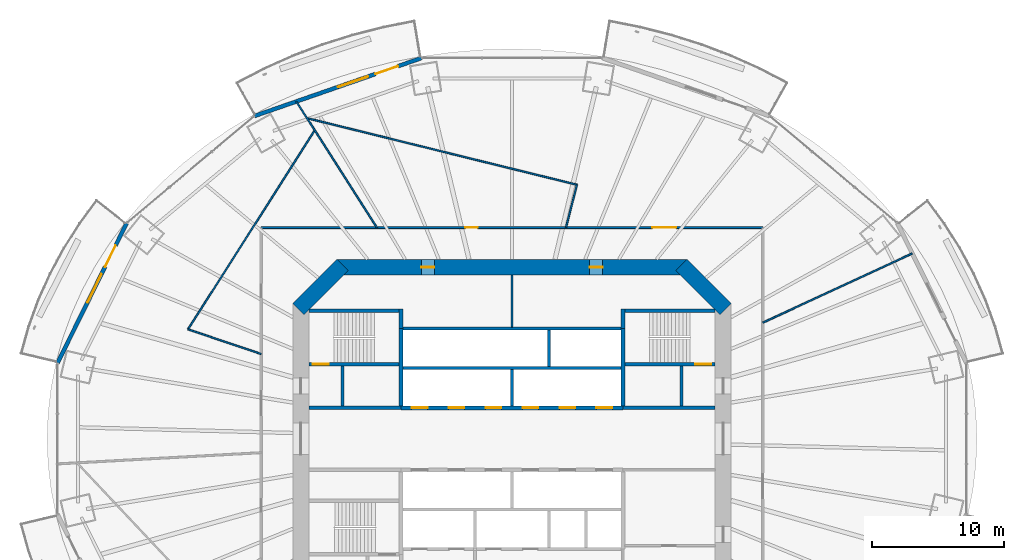
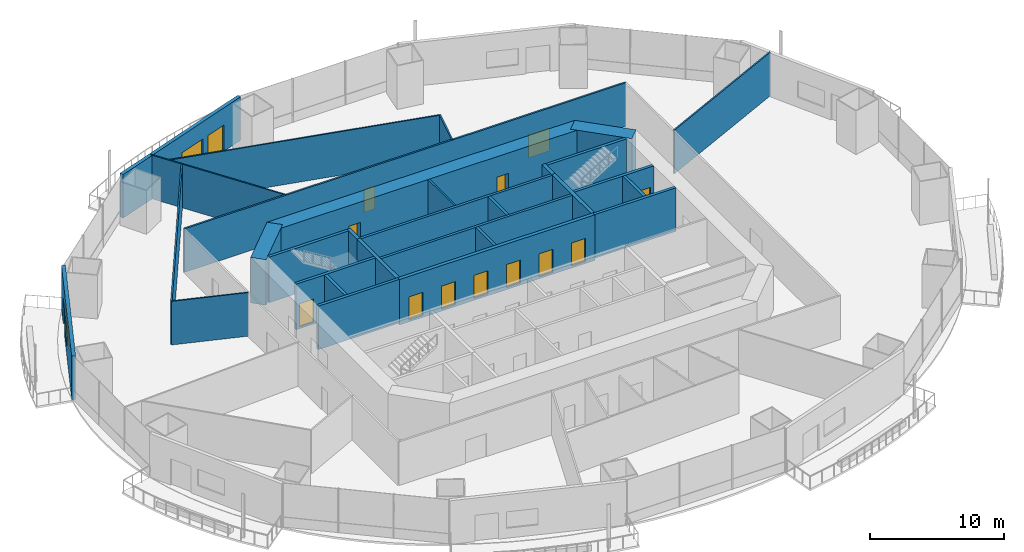
# One storey, part 15 of 22: 30 walls, 14 doors, 2 windows, 16 openings.
"""IFC4 building model written with IfcOpenShell, lengths in metres."""

from ifc_helpers import new_model, si_unit, direction, frame, frame_2d, origin, place, context, subcontext, project, spatial, rectangle, extrude, material, layer, layer_set, type_object, element, fill, save


model = new_model("IFC4")

# Units and contexts
model_context = context("Model", 3, precision=1e-05, world=origin(), true_north=direction((0.0, 1.0)))
body_context = subcontext(model_context, "Body", "Model", "MODEL_VIEW")
ifc_project = project(units=[si_unit("LENGTHUNIT", "METRE"), si_unit("AREAUNIT", "SQUARE_METRE"), si_unit("VOLUMEUNIT", "CUBIC_METRE"), si_unit("PLANEANGLEUNIT", "RADIAN"), si_unit("MASSUNIT", "GRAM", prefix="KILO")], contexts=[model_context])

# Site, building, storey
site_placement = place(None, origin())
site = spatial("IfcSite", under=ifc_project, at=site_placement, CompositionType="ELEMENT")
building_placement = place(site_placement, origin())
building = spatial("IfcBuilding", under=site, at=building_placement, Name="Marenthal Gate Tower", CompositionType="ELEMENT")
storey_placement = place(building_placement, frame((0.0, 0.0, 82.800048828125)))
storey = spatial("IfcBuildingStorey", under=building, at=storey_placement, Name="L16", CompositionType="ELEMENT", Elevation=82.800048828125)

# Wall
ifc_material_1 = material(Name="Concrete 60 MPa", Category="concrete")
ifc_layer_1 = layer(ifc_material_1, 1.199951171875)
ifc_layer_set_1 = layer_set([ifc_layer_1], Name="Core shear wall 1200")
wall_type_1 = type_object("IfcWallType", Name="Core shear wall 1200", PredefinedType="SHEAR", material=ifc_layer_set_1)
wall_1_placement = place(storey_placement, frame((16.17578125, 9.82421875, -0.179931640625), z_axis=(0.0, 0.0, 1.0), x_axis=(-0.707106781187, 0.707106781187, 0.0)))
element("IfcWall", 1, at=wall_1_placement, inside=storey, type_object=wall_type_1, Name="Core wall 03", PredefinedType="SHEAR", context=body_context, shape_type="SweptSolid", body=[
    extrude(rectangle(XDim=4.73974609375, YDim=1.199951171875, at=frame_2d((2.369873046875, 0.0))), origin(), (0.0, 0.0, 1.0), 4.14990234375),
])

# Wall, openings, doors
wall_2_placement = place(storey_placement, frame((13.24853515625, 13.0, -0.179931640625), z_axis=(0.0, 0.0, 1.0), x_axis=(-1.0, 0.0, 0.0)))
wall_2 = element("IfcWall", 2, at=wall_2_placement, inside=storey, type_object=wall_type_1, Name="Core wall 04", PredefinedType="SHEAR", context=body_context, shape_type="SweptSolid", body=[
    extrude(rectangle(XDim=26.4970703125, YDim=1.199951171875, at=frame_2d((13.24853515625, 0.0))), origin(), (0.0, 0.0, 1.0), 4.14990234375),
])
opening_1_placement = place(wall_2_placement, frame((19.12451171875, 0.0, 0.179931640625)))
opening_1 = element("IfcOpeningElement", 3, at=opening_1_placement, cuts=wall_2, Name="Opening D005.01", PredefinedType="OPENING", context=body_context, shape_type="SweptSolid", body=[
    extrude(rectangle(XDim=1.0, YDim=2.10009765625, at=frame_2d((0.5, 1.050048828125))), frame((0.0, 0.60986328125, 0.0), z_axis=(0.0, -1.0, 0.0), x_axis=(1.0, 0.0, 0.0)), (0.0, 0.0, 1.0), 1.219970703125),
])
opening_2_placement = place(wall_2_placement, frame((6.37255859375, 0.0, 0.179931640625)))
opening_2 = element("IfcOpeningElement", 4, at=opening_2_placement, cuts=wall_2, Name="Opening D005.02", PredefinedType="OPENING", context=body_context, shape_type="SweptSolid", body=[
    extrude(rectangle(XDim=1.0, YDim=2.10009765625, at=frame_2d((0.5, 1.050048828125))), frame((0.0, 0.60986328125, 0.0), z_axis=(0.0, -1.0, 0.0), x_axis=(1.0, 0.0, 0.0)), (0.0, 0.0, 1.0), 1.219970703125),
])
ifc_material_2 = material(Name="Steel fire door", Category="steel")
door_type_1 = type_object("IfcDoorType", Name="Fire door FD 45 1000 x 2100", OperationType="NOTDEFINED", PredefinedType="DOOR", material=ifc_material_2)
door_1_placement = place(opening_1_placement, origin())
door_1 = element("IfcDoor", 5, at=door_1_placement, inside=storey, type_object=door_type_1, Name="Door D005.01", OperationType="SINGLE_SWING_RIGHT", OverallHeight=2.10009765625, OverallWidth=1.0, PredefinedType="DOOR", context=body_context, shape_type="SweptSolid", body=[
    extrude(rectangle(XDim=1.0, YDim=2.10009765625, at=frame_2d((0.5, 1.050048828125))), frame((0.0, 0.02490234375, 0.0), z_axis=(0.0, -1.0, 0.0), x_axis=(1.0, 0.0, 0.0)), (0.0, 0.0, 1.0), 0.050048828125),
])
fill(opening_1, door_1)
door_2_placement = place(opening_2_placement, origin())
door_2 = element("IfcDoor", 6, at=door_2_placement, inside=storey, type_object=door_type_1, Name="Door D005.02", OperationType="SINGLE_SWING_RIGHT", OverallHeight=2.10009765625, OverallWidth=1.0, PredefinedType="DOOR", context=body_context, shape_type="SweptSolid", body=[
    extrude(rectangle(XDim=1.0, YDim=2.10009765625, at=frame_2d((0.5, 1.050048828125))), frame((0.0, 0.02490234375, 0.0), z_axis=(0.0, -1.0, 0.0), x_axis=(1.0, 0.0, 0.0)), (0.0, 0.0, 1.0), 0.050048828125),
])
fill(opening_2, door_2)

# Wall
wall_3_placement = place(storey_placement, frame((-12.82421875, 13.17578125, -0.179931640625), z_axis=(0.0, 0.0, 1.0), x_axis=(-0.707106781187, -0.707106781187, 0.0)))
element("IfcWall", 7, at=wall_3_placement, inside=storey, type_object=wall_type_1, Name="Core wall 05", PredefinedType="SHEAR", context=body_context, shape_type="SweptSolid", body=[
    extrude(rectangle(XDim=4.73974609375, YDim=1.199951171875, at=frame_2d((2.369873046875, 0.0))), origin(), (0.0, 0.0, 1.0), 4.14990234375),
])

# Wall, openings, doors
ifc_material_3 = material(Name="Concrete 50 MPa", Category="concrete")
ifc_layer_2 = layer(ifc_material_3, 0.300048828125)
ifc_layer_set_2 = layer_set([ifc_layer_2], Name="Hoistway shear wall 300")
wall_type_2 = type_object("IfcWallType", Name="Hoistway shear wall 300", PredefinedType="SHEAR", material=ifc_layer_set_2)
wall_4_placement = place(storey_placement, frame((-8.39990234375, 2.35009765625, -0.179931640625), z_axis=(0.0, 0.0, 1.0), x_axis=(1.0, 0.0, 0.0)))
wall_4 = element("IfcWall", 8, at=wall_4_placement, inside=storey, type_object=wall_type_2, Name="Hoistway wall 20", PredefinedType="SHEAR", context=body_context, shape_type="SweptSolid", body=[
    extrude(rectangle(XDim=16.7998046875, YDim=0.300048828125, at=frame_2d((8.39990234375, 0.0))), origin(), (0.0, 0.0, 1.0), 4.14990234375),
])
opening_3_placement = place(wall_4_placement, frame((0.800048828125, 0.0, 0.179931640625)))
opening_3 = element("IfcOpeningElement", 9, at=opening_3_placement, cuts=wall_4, Name="Opening LD-LP1", PredefinedType="OPENING", context=body_context, shape_type="SweptSolid", body=[
    extrude(rectangle(XDim=1.199951171875, YDim=2.10009765625, at=frame_2d((0.60009765625, 1.050048828125))), frame((0.0, 0.16015625, 0.0), z_axis=(0.0, -1.0, 0.0), x_axis=(1.0, 0.0, 0.0)), (0.0, 0.0, 1.0), 0.320068359375),
])
opening_4_placement = place(wall_4_placement, frame((3.60009765625, 0.0, 0.179931640625)))
opening_4 = element("IfcOpeningElement", 10, at=opening_4_placement, cuts=wall_4, Name="Opening LD-LP2", PredefinedType="OPENING", context=body_context, shape_type="SweptSolid", body=[
    extrude(rectangle(XDim=1.199951171875, YDim=2.10009765625, at=frame_2d((0.60009765625, 1.050048828125))), frame((0.0, 0.16015625, 0.0), z_axis=(0.0, -1.0, 0.0), x_axis=(1.0, 0.0, 0.0)), (0.0, 0.0, 1.0), 0.320068359375),
])
opening_5_placement = place(wall_4_placement, frame((6.39990234375, 0.0, 0.179931640625)))
opening_5 = element("IfcOpeningElement", 11, at=opening_5_placement, cuts=wall_4, Name="Opening LD-LP3", PredefinedType="OPENING", context=body_context, shape_type="SweptSolid", body=[
    extrude(rectangle(XDim=1.199951171875, YDim=2.10009765625, at=frame_2d((0.60009765625, 1.050048828125))), frame((0.0, 0.16015625, 0.0), z_axis=(0.0, -1.0, 0.0), x_axis=(1.0, 0.0, 0.0)), (0.0, 0.0, 1.0), 0.320068359375),
])
opening_6_placement = place(wall_4_placement, frame((9.199951171875, 0.0, 0.179931640625)))
opening_6 = element("IfcOpeningElement", 12, at=opening_6_placement, cuts=wall_4, Name="Opening LD-LP4", PredefinedType="OPENING", context=body_context, shape_type="SweptSolid", body=[
    extrude(rectangle(XDim=1.199951171875, YDim=2.10009765625, at=frame_2d((0.60009765625, 1.050048828125))), frame((0.0, 0.16015625, 0.0), z_axis=(0.0, -1.0, 0.0), x_axis=(1.0, 0.0, 0.0)), (0.0, 0.0, 1.0), 0.320068359375),
])
opening_7_placement = place(wall_4_placement, frame((12.0, 0.0, 0.179931640625)))
opening_7 = element("IfcOpeningElement", 13, at=opening_7_placement, cuts=wall_4, Name="Opening LD-LP5", PredefinedType="OPENING", context=body_context, shape_type="SweptSolid", body=[
    extrude(rectangle(XDim=1.199951171875, YDim=2.10009765625, at=frame_2d((0.60009765625, 1.050048828125))), frame((0.0, 0.16015625, 0.0), z_axis=(0.0, -1.0, 0.0), x_axis=(1.0, 0.0, 0.0)), (0.0, 0.0, 1.0), 0.320068359375),
])
opening_8_placement = place(wall_4_placement, frame((14.800048828125, 0.0, 0.179931640625)))
opening_8 = element("IfcOpeningElement", 14, at=opening_8_placement, cuts=wall_4, Name="Opening LD-LP6", PredefinedType="OPENING", context=body_context, shape_type="SweptSolid", body=[
    extrude(rectangle(XDim=1.199951171875, YDim=2.10009765625, at=frame_2d((0.60009765625, 1.050048828125))), frame((0.0, 0.16015625, 0.0), z_axis=(0.0, -1.0, 0.0), x_axis=(1.0, 0.0, 0.0)), (0.0, 0.0, 1.0), 0.320068359375),
])
ifc_material_4 = material(Name="Stainless steel sliding door", Category="steel")
door_type_2 = type_object("IfcDoorType", Name="Lift landing door FD 90 1200 x 2100", OperationType="DOUBLE_DOOR_SLIDING", PredefinedType="DOOR", material=ifc_material_4)
door_3_placement = place(opening_3_placement, origin())
door_3 = element("IfcDoor", 15, at=door_3_placement, inside=storey, type_object=door_type_2, Name="Lift landing door LP1", OperationType="DOUBLE_DOOR_SLIDING", OverallHeight=2.10009765625, OverallWidth=1.199951171875, PredefinedType="DOOR", context=body_context, shape_type="SweptSolid", body=[
    extrude(rectangle(XDim=1.199951171875, YDim=2.10009765625, at=frame_2d((0.60009765625, 1.050048828125))), frame((0.0, 0.02490234375, 0.0), z_axis=(0.0, -1.0, 0.0), x_axis=(1.0, 0.0, 0.0)), (0.0, 0.0, 1.0), 0.050048828125),
])
fill(opening_3, door_3)
door_4_placement = place(opening_4_placement, origin())
door_4 = element("IfcDoor", 16, at=door_4_placement, inside=storey, type_object=door_type_2, Name="Lift landing door LP2", OperationType="DOUBLE_DOOR_SLIDING", OverallHeight=2.10009765625, OverallWidth=1.199951171875, PredefinedType="DOOR", context=body_context, shape_type="SweptSolid", body=[
    extrude(rectangle(XDim=1.199951171875, YDim=2.10009765625, at=frame_2d((0.60009765625, 1.050048828125))), frame((0.0, 0.02490234375, 0.0), z_axis=(0.0, -1.0, 0.0), x_axis=(1.0, 0.0, 0.0)), (0.0, 0.0, 1.0), 0.050048828125),
])
fill(opening_4, door_4)
door_5_placement = place(opening_5_placement, origin())
door_5 = element("IfcDoor", 17, at=door_5_placement, inside=storey, type_object=door_type_2, Name="Lift landing door LP3", OperationType="DOUBLE_DOOR_SLIDING", OverallHeight=2.10009765625, OverallWidth=1.199951171875, PredefinedType="DOOR", context=body_context, shape_type="SweptSolid", body=[
    extrude(rectangle(XDim=1.199951171875, YDim=2.10009765625, at=frame_2d((0.60009765625, 1.050048828125))), frame((0.0, 0.02490234375, 0.0), z_axis=(0.0, -1.0, 0.0), x_axis=(1.0, 0.0, 0.0)), (0.0, 0.0, 1.0), 0.050048828125),
])
fill(opening_5, door_5)
door_6_placement = place(opening_6_placement, origin())
door_6 = element("IfcDoor", 18, at=door_6_placement, inside=storey, type_object=door_type_2, Name="Lift landing door LP4", OperationType="DOUBLE_DOOR_SLIDING", OverallHeight=2.10009765625, OverallWidth=1.199951171875, PredefinedType="DOOR", context=body_context, shape_type="SweptSolid", body=[
    extrude(rectangle(XDim=1.199951171875, YDim=2.10009765625, at=frame_2d((0.60009765625, 1.050048828125))), frame((0.0, 0.02490234375, 0.0), z_axis=(0.0, -1.0, 0.0), x_axis=(1.0, 0.0, 0.0)), (0.0, 0.0, 1.0), 0.050048828125),
])
fill(opening_6, door_6)
door_7_placement = place(opening_7_placement, origin())
door_7 = element("IfcDoor", 19, at=door_7_placement, inside=storey, type_object=door_type_2, Name="Lift landing door LP5", OperationType="DOUBLE_DOOR_SLIDING", OverallHeight=2.10009765625, OverallWidth=1.199951171875, PredefinedType="DOOR", context=body_context, shape_type="SweptSolid", body=[
    extrude(rectangle(XDim=1.199951171875, YDim=2.10009765625, at=frame_2d((0.60009765625, 1.050048828125))), frame((0.0, 0.02490234375, 0.0), z_axis=(0.0, -1.0, 0.0), x_axis=(1.0, 0.0, 0.0)), (0.0, 0.0, 1.0), 0.050048828125),
])
fill(opening_7, door_7)
door_8_placement = place(opening_8_placement, origin())
door_8 = element("IfcDoor", 20, at=door_8_placement, inside=storey, type_object=door_type_2, Name="Lift landing door LP6", OperationType="DOUBLE_DOOR_SLIDING", OverallHeight=2.10009765625, OverallWidth=1.199951171875, PredefinedType="DOOR", context=body_context, shape_type="SweptSolid", body=[
    extrude(rectangle(XDim=1.199951171875, YDim=2.10009765625, at=frame_2d((0.60009765625, 1.050048828125))), frame((0.0, 0.02490234375, 0.0), z_axis=(0.0, -1.0, 0.0), x_axis=(1.0, 0.0, 0.0)), (0.0, 0.0, 1.0), 0.050048828125),
])
fill(opening_8, door_8)

# Walls
for number, where, z_axis, x_axis, name in (
    (21, (-8.39990234375, 2.5, -0.179931640625), (0.0, 0.0, 1.0), (0.0, 1.0, 0.0), "Hoistway wall 32"),
    (22, (8.39990234375, 2.5, -0.179931640625), (0.0, 0.0, 1.0), (0.0, 1.0, 0.0), "Hoistway wall 44"),
):
    element("IfcWall", number, at=place(storey_placement, frame(where, z_axis=z_axis, x_axis=x_axis)), inside=storey, type_object=wall_type_2, Name=name, PredefinedType="SHEAR", context=body_context, shape_type="SweptSolid", body=[
        extrude(rectangle(XDim=5.85009765625, YDim=0.300048828125, at=frame_2d((2.925048828125, 0.0))), origin(), (0.0, 0.0, 1.0), 4.14990234375),
    ])
ifc_material_5 = material(Name="Concrete 40 MPa", Category="concrete")
ifc_layer_3 = layer(ifc_material_5, 0.219970703125)
ifc_layer_set_3 = layer_set([ifc_layer_3], Name="Hoistway wall 220")
wall_type_3 = type_object("IfcWallType", Name="Hoistway wall 220", PredefinedType="STANDARD", material=ifc_layer_set_3)
for number, where, z_axis, x_axis, name in (
    (23, (-8.25, 5.35009765625, 0.0), (0.0, 0.0, 1.0), (1.0, 0.0, 0.0), "Hoistway wall 22"),
    (24, (-8.25, 8.35009765625, 0.0), (0.0, 0.0, 1.0), (1.0, 0.0, 0.0), "Hoistway wall 25"),
):
    element("IfcWall", number, at=place(storey_placement, frame(where, z_axis=z_axis, x_axis=x_axis)), inside=storey, type_object=wall_type_3, Name=name, PredefinedType="STANDARD", context=body_context, shape_type="SweptSolid", body=[
        extrude(rectangle(XDim=16.5, YDim=0.219970703125, at=frame_2d((8.25, 0.0))), origin(), (0.0, 0.0, 1.0), 3.969970703125),
    ])
wall_5_placement = place(storey_placement, frame((0.0, 2.5, 0.0), z_axis=(0.0, 0.0, 1.0), x_axis=(0.0, 1.0, 0.0)))
element("IfcWall", 25, at=wall_5_placement, inside=storey, type_object=wall_type_3, Name="Hoistway wall 37", PredefinedType="STANDARD", context=body_context, shape_type="SweptSolid", body=[
    extrude(rectangle(XDim=2.739990234375, YDim=0.219970703125, at=frame_2d((1.3701171875, 0.0))), origin(), (0.0, 0.0, 1.0), 3.969970703125),
])
wall_6_placement = place(storey_placement, frame((2.800048828125, 5.4599609375, 0.0), z_axis=(0.0, 0.0, 1.0), x_axis=(0.0, 1.0, 0.0)))
element("IfcWall", 26, at=wall_6_placement, inside=storey, type_object=wall_type_3, Name="Hoistway wall 40", PredefinedType="STANDARD", context=body_context, shape_type="SweptSolid", body=[
    extrude(rectangle(XDim=2.780029296875, YDim=0.219970703125, at=frame_2d((1.39013671875, 0.0))), origin(), (0.0, 0.0, 1.0), 3.969970703125),
])
ifc_material_6 = material(Name="Gypsum board on steel studs", Category="steel")
ifc_layer_4 = layer(ifc_material_6, 0.1201171875)
ifc_layer_set_4 = layer_set([ifc_layer_4], Name="Partition 120")
wall_type_4 = type_object("IfcWallType", Name="Partition 120", PredefinedType="PARTITIONING", material=ifc_layer_set_4)
wall_7_placement = place(storey_placement, frame((-24.547607421875, 8.293701171875, 0.0), z_axis=(0.0, 0.0, 1.0), x_axis=(0.947391329826, -0.320077597108, 0.0)))
element("IfcWall", 27, at=wall_7_placement, inside=storey, type_object=wall_type_4, Name="Partition wall 48", PredefinedType="PARTITIONING", context=body_context, shape_type="SweptSolid", body=[
    extrude(rectangle(XDim=5.855712890625, YDim=0.1201171875, at=frame_2d((2.927734375, 0.0))), origin(), (0.0, 0.0, 1.0), 3.969970703125),
])
wall_8_placement = place(storey_placement, frame((-14.9482421875, 23.376708984375, 0.0), z_axis=(0.0, 0.0, 1.0), x_axis=(-0.536918787307, -0.843633934735, 0.0)))
element("IfcWall", 28, at=wall_8_placement, inside=storey, type_object=wall_type_4, Name="Partition wall 53", PredefinedType="PARTITIONING", context=body_context, shape_type="SweptSolid", body=[
    extrude(rectangle(XDim=17.878662109375, YDim=0.1201171875, at=frame_2d((8.939453125, 0.0))), origin(), (0.0, 0.0, 1.0), 3.969970703125),
])
wall_9_placement = place(storey_placement, frame((-10.231201171875, 16.0, 0.0), z_axis=(0.0, 0.0, 1.0), x_axis=(-0.538717793893, 0.84248628389, 0.0)))
element("IfcWall", 29, at=wall_9_placement, inside=storey, type_object=wall_type_4, Name="Partition wall 54", PredefinedType="PARTITIONING", context=body_context, shape_type="SweptSolid", body=[
    extrude(rectangle(XDim=11.34521484375, YDim=0.1201171875, at=frame_2d((5.672607421875, 0.0))), origin(), (0.0, 0.0, 1.0), 3.969970703125),
])
wall_10_placement = place(storey_placement, frame((4.920166015625, 19.24853515625, 0.0), z_axis=(0.0, 0.0, 1.0), x_axis=(-0.970900483389, 0.239483300786, 0.0)))
element("IfcWall", 30, at=wall_10_placement, inside=storey, type_object=wall_type_4, Name="Partition wall 60", PredefinedType="PARTITIONING", context=body_context, shape_type="SweptSolid", body=[
    extrude(rectangle(XDim=21.06787109375, YDim=0.1201171875, at=frame_2d((10.533935546875, 0.0))), origin(), (0.0, 0.0, 1.0), 3.969970703125),
])
wall_11_placement = place(storey_placement, frame((4.920166015625, 19.24853515625, 0.0), z_axis=(0.0, 0.0, 1.0), x_axis=(-0.247706104216, -0.96883522125, 0.0)))
element("IfcWall", 31, at=wall_11_placement, inside=storey, type_object=wall_type_4, Name="Partition wall 61", PredefinedType="PARTITIONING", context=body_context, shape_type="SweptSolid", body=[
    extrude(rectangle(XDim=3.35302734375, YDim=0.1201171875, at=frame_2d((1.676513671875, 0.0))), origin(), (0.0, 0.0, 1.0), 3.969970703125),
])
wall_12_placement = place(storey_placement, frame((19.0, 8.798095703125, 0.0), z_axis=(0.0, 0.0, 1.0), x_axis=(0.907434463357, 0.420193639543, 0.0)))
element("IfcWall", 32, at=wall_12_placement, inside=storey, type_object=wall_type_4, Name="Partition wall 65", PredefinedType="PARTITIONING", context=body_context, shape_type="SweptSolid", body=[
    extrude(rectangle(XDim=12.486083984375, YDim=0.1201171875, at=frame_2d((6.2431640625, 0.0))), origin(), (0.0, 0.0, 1.0), 3.969970703125),
])
ifc_material_7 = material(Name="Gypsum board on steel studs", Category="steel")
ifc_layer_5 = layer(ifc_material_7, 0.14990234375)
ifc_layer_set_5 = layer_set([ifc_layer_5], Name="Partition 150")
wall_type_5 = type_object("IfcWallType", Name="Partition 150", PredefinedType="PARTITIONING", material=ifc_layer_set_5)
wall_13_placement = place(storey_placement, frame((0.0, 8.4599609375, 0.0), z_axis=(0.0, 0.0, 1.0), x_axis=(0.0, 1.0, 0.0)))
element("IfcWall", 33, at=wall_13_placement, inside=storey, type_object=wall_type_5, Name="Partition wall 38", PredefinedType="PARTITIONING", context=body_context, shape_type="SweptSolid", body=[
    extrude(rectangle(XDim=3.93994140625, YDim=0.14990234375, at=frame_2d((1.969970703125, 0.0))), origin(), (0.0, 0.0, 1.0), 3.969970703125),
])

# Wall, openings, doors
wall_14_placement = place(storey_placement, frame((-19.0, 16.0, 0.0), z_axis=(0.0, 0.0, 1.0), x_axis=(1.0, 0.0, 0.0)))
wall_14 = element("IfcWall", 34, at=wall_14_placement, inside=storey, type_object=wall_type_5, Name="Partition wall 52", PredefinedType="PARTITIONING", context=body_context, shape_type="SweptSolid", body=[
    extrude(rectangle(XDim=38.0, YDim=0.14990234375, at=frame_2d((19.0, 0.0))), origin(), (0.0, 0.0, 1.0), 3.969970703125),
])
opening_9_placement = place(wall_14_placement, frame((15.455078125, 0.0, 0.0)))
opening_9 = element("IfcOpeningElement", 35, at=opening_9_placement, cuts=wall_14, Name="Opening D016.01", PredefinedType="OPENING", context=body_context, shape_type="SweptSolid", body=[
    extrude(rectangle(XDim=0.949951171875, YDim=2.10009765625, at=frame_2d((0.47509765625, 1.050048828125))), frame((0.0, 0.0849609375, 0.0), z_axis=(0.0, -1.0, 0.0), x_axis=(1.0, 0.0, 0.0)), (0.0, 0.0, 1.0), 0.169921875),
])
opening_10_placement = place(wall_14_placement, frame((29.64501953125, 0.0, 0.0)))
opening_10 = element("IfcOpeningElement", 36, at=opening_10_placement, cuts=wall_14, Name="Opening D014.01", PredefinedType="OPENING", context=body_context, shape_type="SweptSolid", body=[
    extrude(rectangle(XDim=1.800048828125, YDim=2.10009765625, at=frame_2d((0.89990234375, 1.050048828125))), frame((0.0, 0.0849609375, 0.0), z_axis=(0.0, -1.0, 0.0), x_axis=(1.0, 0.0, 0.0)), (0.0, 0.0, 1.0), 0.169921875),
])
ifc_material_8 = material(Name="Timber door", Category="wood")
door_type_3 = type_object("IfcDoorType", Name="Door 950 x 2100", OperationType="NOTDEFINED", PredefinedType="DOOR", material=ifc_material_8)
door_9_placement = place(opening_9_placement, origin())
door_9 = element("IfcDoor", 37, at=door_9_placement, inside=storey, type_object=door_type_3, Name="Door D016.01", OperationType="SINGLE_SWING_RIGHT", OverallHeight=2.10009765625, OverallWidth=0.949951171875, PredefinedType="DOOR", context=body_context, shape_type="SweptSolid", body=[
    extrude(rectangle(XDim=0.949951171875, YDim=2.10009765625, at=frame_2d((0.47509765625, 1.050048828125))), frame((0.0, 0.02490234375, 0.0), z_axis=(0.0, -1.0, 0.0), x_axis=(1.0, 0.0, 0.0)), (0.0, 0.0, 1.0), 0.050048828125),
])
fill(opening_9, door_9)
ifc_material_9 = material(Name="Timber door", Category="wood")
door_type_4 = type_object("IfcDoorType", Name="Double door 1800 x 2100", OperationType="DOUBLE_DOOR_SINGLE_SWING", PredefinedType="DOOR", material=ifc_material_9)
door_10_placement = place(opening_10_placement, origin())
door_10 = element("IfcDoor", 38, at=door_10_placement, inside=storey, type_object=door_type_4, Name="Door D014.01", OperationType="DOUBLE_DOOR_SINGLE_SWING", OverallHeight=2.10009765625, OverallWidth=1.800048828125, PredefinedType="DOOR", context=body_context, shape_type="SweptSolid", body=[
    extrude(rectangle(XDim=1.800048828125, YDim=2.10009765625, at=frame_2d((0.89990234375, 1.050048828125))), frame((0.0, 0.02490234375, 0.0), z_axis=(0.0, -1.0, 0.0), x_axis=(1.0, 0.0, 0.0)), (0.0, 0.0, 1.0), 0.050048828125),
])
fill(opening_10, door_10)

# Walls
ifc_material_10 = material(Name="Concrete 40 MPa", Category="concrete")
ifc_layer_6 = layer(ifc_material_10, 0.25)
ifc_layer_set_6 = layer_set([ifc_layer_6], Name="Stair enclosure wall 250")
wall_type_6 = type_object("IfcWallType", Name="Stair enclosure wall 250", PredefinedType="STANDARD", material=ifc_layer_set_6)
for number, where, z_axis, x_axis, name in (
    (39, (-15.39990234375, 2.35009765625, 0.0), (0.0, 0.0, 1.0), (1.0, 0.0, 0.0), "Stair wall 19"),
    (40, (8.39990234375, 2.35009765625, 0.0), (0.0, 0.0, 1.0), (1.0, 0.0, 0.0), "Stair wall 21"),
):
    element("IfcWall", number, at=place(storey_placement, frame(where, z_axis=z_axis, x_axis=x_axis)), inside=storey, type_object=wall_type_6, Name=name, PredefinedType="STANDARD", context=body_context, shape_type="SweptSolid", body=[
        extrude(rectangle(XDim=7.0, YDim=0.25, at=frame_2d((3.5, 0.0))), origin(), (0.0, 0.0, 1.0), 3.969970703125),
    ])
for number, where, z_axis, x_axis, name in (
    (41, (-12.85009765625, 2.47509765625, 0.0), (0.0, 0.0, 1.0), (0.0, 1.0, 0.0), "Stair wall 28"),
    (42, (12.85009765625, 2.47509765625, 0.0), (0.0, 0.0, 1.0), (0.0, 1.0, 0.0), "Stair wall 46"),
):
    element("IfcWall", number, at=place(storey_placement, frame(where, z_axis=z_axis, x_axis=x_axis)), inside=storey, type_object=wall_type_6, Name=name, PredefinedType="STANDARD", context=body_context, shape_type="SweptSolid", body=[
        extrude(rectangle(XDim=3.0498046875, YDim=0.25, at=frame_2d((1.52490234375, 0.0))), origin(), (0.0, 0.0, 1.0), 3.969970703125),
    ])

# Wall, opening, door
ifc_material_11 = material(Name="Concrete 50 MPa", Category="concrete")
ifc_layer_7 = layer(ifc_material_11, 0.25)
ifc_layer_set_7 = layer_set([ifc_layer_7], Name="Stair shear wall 250")
wall_type_7 = type_object("IfcWallType", Name="Stair shear wall 250", PredefinedType="SHEAR", material=ifc_layer_set_7)
wall_15_placement = place(storey_placement, frame((-15.39990234375, 5.64990234375, -0.179931640625), z_axis=(0.0, 0.0, 1.0), x_axis=(1.0, 0.0, 0.0)))
wall_15 = element("IfcWall", 43, at=wall_15_placement, inside=storey, type_object=wall_type_7, Name="Stair wall 23", PredefinedType="SHEAR", context=body_context, shape_type="SweptSolid", body=[
    extrude(rectangle(XDim=6.849853515625, YDim=0.25, at=frame_2d((3.4248046875, 0.0))), origin(), (0.0, 0.0, 1.0), 4.14990234375),
])
opening_11_placement = place(wall_15_placement, frame((0.300048828125, 0.0, 0.179931640625)))
opening_11 = element("IfcOpeningElement", 44, at=opening_11_placement, cuts=wall_15, Name="Opening D001.01", PredefinedType="OPENING", context=body_context, shape_type="SweptSolid", body=[
    extrude(rectangle(XDim=1.199951171875, YDim=2.10009765625, at=frame_2d((0.60009765625, 1.050048828125))), frame((0.0, 0.135009765625, 0.0), z_axis=(0.0, -1.0, 0.0), x_axis=(1.0, 0.0, 0.0)), (0.0, 0.0, 1.0), 0.27001953125),
])
ifc_material_12 = material(Name="Steel fire door", Category="steel")
door_type_5 = type_object("IfcDoorType", Name="Fire door FD 90 1200 x 2100", OperationType="NOTDEFINED", PredefinedType="DOOR", material=ifc_material_12)
door_11_placement = place(opening_11_placement, origin())
door_11 = element("IfcDoor", 45, at=door_11_placement, inside=storey, type_object=door_type_5, Name="Door D001.01", OperationType="SINGLE_SWING_RIGHT", OverallHeight=2.10009765625, OverallWidth=1.199951171875, PredefinedType="DOOR", context=body_context, shape_type="SweptSolid", body=[
    extrude(rectangle(XDim=1.199951171875, YDim=2.10009765625, at=frame_2d((0.60009765625, 1.050048828125))), frame((0.0, 0.02490234375, 0.0), z_axis=(0.0, -1.0, 0.0), x_axis=(1.0, 0.0, 0.0)), (0.0, 0.0, 1.0), 0.050048828125),
])
fill(opening_11, door_11)

wall_16_placement = place(storey_placement, frame((8.550048828125, 5.64990234375, -0.179931640625), z_axis=(0.0, 0.0, 1.0), x_axis=(1.0, 0.0, 0.0)))
wall_16 = element("IfcWall", 46, at=wall_16_placement, inside=storey, type_object=wall_type_7, Name="Stair wall 24", PredefinedType="SHEAR", context=body_context, shape_type="SweptSolid", body=[
    extrude(rectangle(XDim=6.849853515625, YDim=0.25, at=frame_2d((3.4248046875, 0.0))), origin(), (0.0, 0.0, 1.0), 4.14990234375),
])
opening_12_placement = place(wall_16_placement, frame((5.35009765625, 0.0, 0.179931640625)))
opening_12 = element("IfcOpeningElement", 47, at=opening_12_placement, cuts=wall_16, Name="Opening D001.02", PredefinedType="OPENING", context=body_context, shape_type="SweptSolid", body=[
    extrude(rectangle(XDim=1.199951171875, YDim=2.10009765625, at=frame_2d((0.60009765625, 1.050048828125))), frame((0.0, 0.135009765625, 0.0), z_axis=(0.0, -1.0, 0.0), x_axis=(1.0, 0.0, 0.0)), (0.0, 0.0, 1.0), 0.27001953125),
])
door_12_placement = place(opening_12_placement, origin())
door_12 = element("IfcDoor", 48, at=door_12_placement, inside=storey, type_object=door_type_5, Name="Door D001.02", OperationType="SINGLE_SWING_RIGHT", OverallHeight=2.10009765625, OverallWidth=1.199951171875, PredefinedType="DOOR", context=body_context, shape_type="SweptSolid", body=[
    extrude(rectangle(XDim=1.199951171875, YDim=2.10009765625, at=frame_2d((0.60009765625, 1.050048828125))), frame((0.0, 0.02490234375, 0.0), z_axis=(0.0, -1.0, 0.0), x_axis=(1.0, 0.0, 0.0)), (0.0, 0.0, 1.0), 0.050048828125),
])
fill(opening_12, door_12)

# Walls
for number, where, z_axis, x_axis, name in (
    (49, (-15.39990234375, 9.699951171875, -0.179931640625), (0.0, 0.0, 1.0), (1.0, 0.0, 0.0), "Stair wall 26"),
    (50, (8.550048828125, 9.699951171875, -0.179931640625), (0.0, 0.0, 1.0), (1.0, 0.0, 0.0), "Stair wall 27"),
):
    element("IfcWall", number, at=place(storey_placement, frame(where, z_axis=z_axis, x_axis=x_axis)), inside=storey, type_object=wall_type_7, Name=name, PredefinedType="SHEAR", context=body_context, shape_type="SweptSolid", body=[
        extrude(rectangle(XDim=6.849853515625, YDim=0.25, at=frame_2d((3.4248046875, 0.0))), origin(), (0.0, 0.0, 1.0), 4.14990234375),
    ])
ifc_material_13 = material(Name="Concrete 50 MPa", Category="concrete")
ifc_layer_8 = layer(ifc_material_13, 0.300048828125)
ifc_layer_set_8 = layer_set([ifc_layer_8], Name="Stair shear wall 300")
wall_type_8 = type_object("IfcWallType", Name="Stair shear wall 300", PredefinedType="SHEAR", material=ifc_layer_set_8)
for number, where, z_axis, x_axis, name in (
    (51, (-8.39990234375, 8.35009765625, -0.179931640625), (0.0, 0.0, 1.0), (0.0, 1.0, 0.0), "Stair wall 33"),
    (52, (8.39990234375, 8.35009765625, -0.179931640625), (0.0, 0.0, 1.0), (0.0, 1.0, 0.0), "Stair wall 45"),
):
    element("IfcWall", number, at=place(storey_placement, frame(where, z_axis=z_axis, x_axis=x_axis)), inside=storey, type_object=wall_type_8, Name=name, PredefinedType="SHEAR", context=body_context, shape_type="SweptSolid", body=[
        extrude(rectangle(XDim=1.474853515625, YDim=0.300048828125, at=frame_2d((0.7373046875, 0.0))), origin(), (0.0, 0.0, 1.0), 4.14990234375),
    ])

# Wall, openings, door, window
ifc_material_14 = material(Name="Terracotta cladding on insulated concrete-block backing", Category="masonry")
ifc_layer_9 = layer(ifc_material_14, 0.300048828125)
ifc_layer_set_9 = layer_set([ifc_layer_9], Name="Terracotta facade wall 300")
wall_type_9 = type_object("IfcWallType", Name="Terracotta facade wall 300", PredefinedType="SOLIDWALL", material=ifc_layer_set_9)
wall_17_placement = place(storey_placement, frame((-6.849853515625, 28.852783203125, 0.0), z_axis=(0.0, 0.0, 1.0), x_axis=(-0.944722748464, -0.327870292241, 0.0)))
wall_17 = element("IfcWall", 53, at=wall_17_placement, inside=storey, type_object=wall_type_9, Name="Terracotta facade wall L16 bay 5", PredefinedType="SOLIDWALL", context=body_context, shape_type="SweptSolid", body=[
    extrude(rectangle(XDim=13.397216796875, YDim=0.300048828125, at=frame_2d((6.69873046875, 0.0))), origin(), (0.0, 0.0, 1.0), 3.969970703125),
])
opening_13_placement = place(wall_17_placement, frame((1.89990234375, 0.0, 0.0)))
opening_13 = element("IfcOpeningElement", 54, at=opening_13_placement, cuts=wall_17, Name="Opening BD-L16-05", PredefinedType="OPENING", context=body_context, shape_type="SweptSolid", body=[
    extrude(rectangle(XDim=1.800048828125, YDim=2.39990234375, at=frame_2d((0.89990234375, 1.199951171875))), frame((0.0, 0.16015625, 0.0), z_axis=(0.0, -1.0, 0.0), x_axis=(1.0, 0.0, 0.0)), (0.0, 0.0, 1.0), 0.320068359375),
])
opening_14_placement = place(wall_17_placement, frame((4.300048828125, 0.0, 0.89990234375)))
opening_14 = element("IfcOpeningElement", 55, at=opening_14_placement, cuts=wall_17, Name="Opening WN1-L16-05", PredefinedType="OPENING", context=body_context, shape_type="SweptSolid", body=[
    extrude(rectangle(XDim=2.39990234375, YDim=1.5, at=frame_2d((1.199951171875, 0.75))), frame((0.0, 0.16015625, 0.0), z_axis=(0.0, -1.0, 0.0), x_axis=(1.0, 0.0, 0.0)), (0.0, 0.0, 1.0), 0.320068359375),
])
ifc_material_15 = material(Name="Aluminium and glass", Category="aluminium")
door_type_6 = type_object("IfcDoorType", Name="Balcony door 1800x2400", OperationType="DOUBLE_DOOR_SINGLE_SWING", PredefinedType="DOOR", material=ifc_material_15)
door_13_placement = place(opening_13_placement, origin())
door_13 = element("IfcDoor", 56, at=door_13_placement, inside=storey, type_object=door_type_6, Name="Balcony door L16 bay 5", OperationType="SINGLE_SWING_LEFT", OverallHeight=2.39990234375, OverallWidth=1.800048828125, PredefinedType="DOOR", context=body_context, shape_type="SweptSolid", body=[
    extrude(rectangle(XDim=1.800048828125, YDim=2.39990234375, at=frame_2d((0.89990234375, 1.199951171875))), frame((0.0, 0.02490234375, 0.0), z_axis=(0.0, -1.0, 0.0), x_axis=(1.0, 0.0, 0.0)), (0.0, 0.0, 1.0), 0.050048828125),
])
fill(opening_13, door_13)
ifc_material_16 = material(Name="Aluminium and glass", Category="aluminium")
window_type = type_object("IfcWindowType", Name="Window 2400x1500", PartitioningType="TRIPLE_PANEL_VERTICAL", PredefinedType="WINDOW", material=ifc_material_16)
window_1_placement = place(opening_14_placement, origin())
window_1 = element("IfcWindow", 57, at=window_1_placement, inside=storey, type_object=window_type, Name="Window L16 bay 5", OverallHeight=1.5, OverallWidth=2.39990234375, PartitioningType="SINGLE_PANEL", PredefinedType="WINDOW", context=body_context, shape_type="SweptSolid", body=[
    extrude(rectangle(XDim=2.39990234375, YDim=1.5, at=frame_2d((1.199951171875, 0.75))), frame((0.0, 0.030029296875, 0.0), z_axis=(0.0, -1.0, 0.0), x_axis=(1.0, 0.0, 0.0)), (0.0, 0.0, 1.0), 0.06005859375),
])
fill(opening_14, window_1)

wall_18_placement = place(storey_placement, frame((-29.193603515625, 16.34375, 0.0), z_axis=(0.0, 0.0, 1.0), x_axis=(-0.443197104999, -0.896424188719, 0.0)))
wall_18 = element("IfcWall", 58, at=wall_18_placement, inside=storey, type_object=wall_type_9, Name="Terracotta facade wall L16 bay 7", PredefinedType="SOLIDWALL", context=body_context, shape_type="SweptSolid", body=[
    extrude(rectangle(XDim=11.829833984375, YDim=0.300048828125, at=frame_2d((5.9150390625, 0.0))), origin(), (0.0, 0.0, 1.0), 3.969970703125),
])
opening_15_placement = place(wall_18_placement, frame((1.89990234375, 0.0, 0.0)))
opening_15 = element("IfcOpeningElement", 59, at=opening_15_placement, cuts=wall_18, Name="Opening BD-L16-07", PredefinedType="OPENING", context=body_context, shape_type="SweptSolid", body=[
    extrude(rectangle(XDim=1.800048828125, YDim=2.39990234375, at=frame_2d((0.89990234375, 1.199951171875))), frame((0.0, 0.16015625, 0.0), z_axis=(0.0, -1.0, 0.0), x_axis=(1.0, 0.0, 0.0)), (0.0, 0.0, 1.0), 0.320068359375),
])
opening_16_placement = place(wall_18_placement, frame((4.300048828125, 0.0, 0.89990234375)))
opening_16 = element("IfcOpeningElement", 60, at=opening_16_placement, cuts=wall_18, Name="Opening WN1-L16-07", PredefinedType="OPENING", context=body_context, shape_type="SweptSolid", body=[
    extrude(rectangle(XDim=2.39990234375, YDim=1.5, at=frame_2d((1.199951171875, 0.75))), frame((0.0, 0.16015625, 0.0), z_axis=(0.0, -1.0, 0.0), x_axis=(1.0, 0.0, 0.0)), (0.0, 0.0, 1.0), 0.320068359375),
])
door_14_placement = place(opening_15_placement, origin())
door_14 = element("IfcDoor", 61, at=door_14_placement, inside=storey, type_object=door_type_6, Name="Balcony door L16 bay 7", OperationType="SINGLE_SWING_LEFT", OverallHeight=2.39990234375, OverallWidth=1.800048828125, PredefinedType="DOOR", context=body_context, shape_type="SweptSolid", body=[
    extrude(rectangle(XDim=1.800048828125, YDim=2.39990234375, at=frame_2d((0.89990234375, 1.199951171875))), frame((0.0, 0.02490234375, 0.0), z_axis=(0.0, -1.0, 0.0), x_axis=(1.0, 0.0, 0.0)), (0.0, 0.0, 1.0), 0.050048828125),
])
fill(opening_15, door_14)
window_2_placement = place(opening_16_placement, origin())
window_2 = element("IfcWindow", 62, at=window_2_placement, inside=storey, type_object=window_type, Name="Window L16 bay 7", OverallHeight=1.5, OverallWidth=2.39990234375, PartitioningType="SINGLE_PANEL", PredefinedType="WINDOW", context=body_context, shape_type="SweptSolid", body=[
    extrude(rectangle(XDim=2.39990234375, YDim=1.5, at=frame_2d((1.199951171875, 0.75))), frame((0.0, 0.030029296875, 0.0), z_axis=(0.0, -1.0, 0.0), x_axis=(1.0, 0.0, 0.0)), (0.0, 0.0, 1.0), 0.06005859375),
])
fill(opening_16, window_2)

save(model, "model.ifc")
